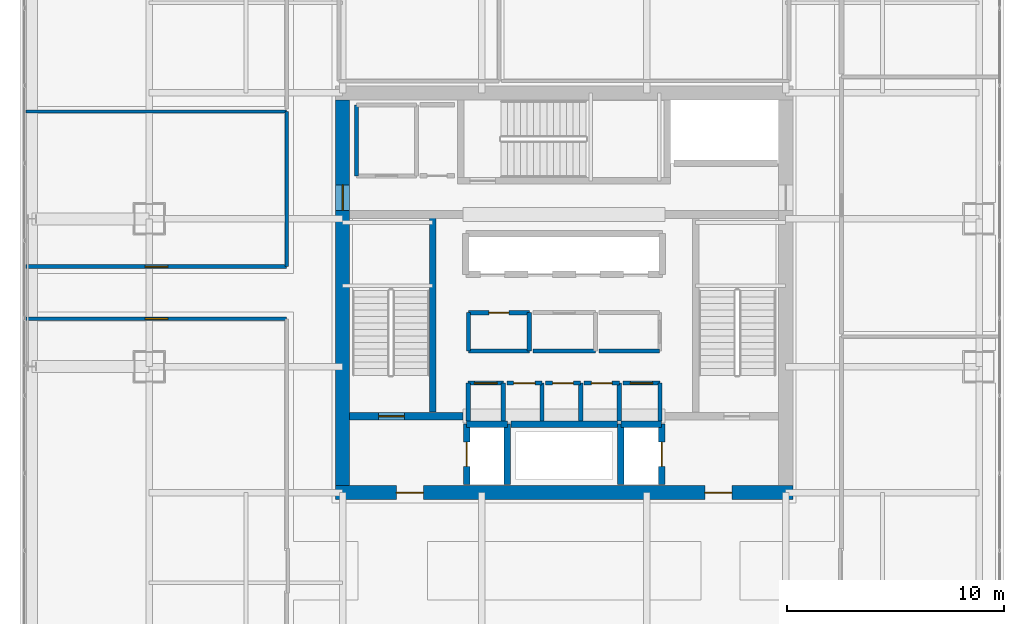
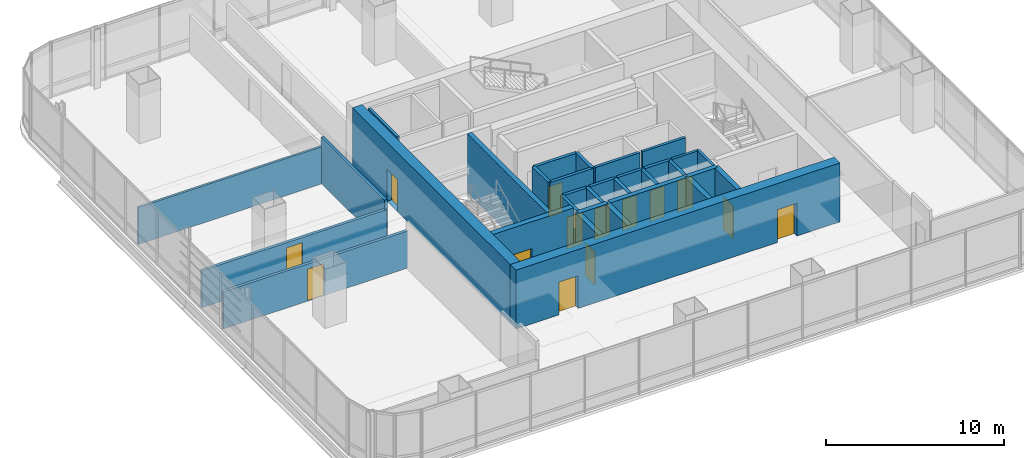
# One storey, part 30 of 38: 33 walls, 14 doors, 14 openings.
"""IFC4 building model written with IfcOpenShell, lengths in metres."""

from ifc_helpers import new_model, si_unit, direction, frame, frame_2d, origin, place, context, subcontext, project, spatial, rectangle, extrude, material, layer, layer_set, type_object, element, fill, save


model = new_model("IFC4")

# Units and contexts
model_context = context("Model", 3, precision=1e-05, world=origin(), true_north=direction((0.0, 1.0)))
body_context = subcontext(model_context, "Body", "Model", "MODEL_VIEW")
ifc_project = project(units=[si_unit("LENGTHUNIT", "METRE"), si_unit("AREAUNIT", "SQUARE_METRE"), si_unit("VOLUMEUNIT", "CUBIC_METRE"), si_unit("PLANEANGLEUNIT", "RADIAN"), si_unit("MASSUNIT", "GRAM", prefix="KILO")], contexts=[model_context])

# Site, building, storey
site_placement = place(None, origin())
site = spatial("IfcSite", under=ifc_project, at=site_placement, CompositionType="ELEMENT")
building_placement = place(site_placement, origin())
building = spatial("IfcBuilding", under=site, at=building_placement, Name="Punatoya Terracotta Tower", CompositionType="ELEMENT")
storey_placement = place(building_placement, frame((0.0, 0.0, 143.85009765625)))
storey = spatial("IfcBuildingStorey", under=building, at=storey_placement, Name="L33", CompositionType="ELEMENT", Elevation=143.85009765625)

# Wall, openings, doors
ifc_material_1 = material(Name="Concrete C60/75", Category="concrete")
ifc_layer_1 = layer(ifc_material_1, 0.64990234375)
ifc_layer_set_1 = layer_set([ifc_layer_1], Name="Concrete C60/75")
wall_type_1 = type_object("IfcWallType", Name="WL-COR-650", PredefinedType="SHEAR", material=ifc_layer_set_1)
wall_1_placement = place(storey_placement, frame((10.52490234375, -9.199951171875, 0.0), z_axis=(0.0, 0.0, 1.0), x_axis=(-1.0, 0.0, 0.0)))
wall_1 = element("IfcWall", 1, at=wall_1_placement, inside=storey, type_object=wall_type_1, Name="L33 Core Shear Wall S", PredefinedType="SHEAR", context=body_context, shape_type="SweptSolid", body=[
    extrude(rectangle(XDim=21.0498046875, YDim=0.64990234375, at=frame_2d((10.52490234375, 0.0))), origin(), (0.0, 0.0, 1.0), 4.0498046875),
])
opening_1_placement = place(wall_1_placement, frame((2.800048828125, 0.0, 0.0)))
opening_1 = element("IfcOpeningElement", 2, at=opening_1_placement, cuts=wall_1, Name="Opening FD-L1", PredefinedType="OPENING", context=body_context, shape_type="SweptSolid", body=[
    extrude(rectangle(XDim=1.25, YDim=2.25, at=frame_2d((0.625, 1.125))), frame((0.0, 0.3349609375, 0.0), z_axis=(0.0, -1.0, 0.0), x_axis=(1.0, 0.0, 0.0)), (0.0, 0.0, 1.0), 0.669921875),
])
opening_2_placement = place(wall_1_placement, frame((17.0, 0.0, 0.0)))
opening_2 = element("IfcOpeningElement", 3, at=opening_2_placement, cuts=wall_1, Name="Opening FD-L1", PredefinedType="OPENING", context=body_context, shape_type="SweptSolid", body=[
    extrude(rectangle(XDim=1.25, YDim=2.25, at=frame_2d((0.625, 1.125))), frame((0.0, 0.3349609375, 0.0), z_axis=(0.0, -1.0, 0.0), x_axis=(1.0, 0.0, 0.0)), (0.0, 0.0, 1.0), 0.669921875),
])
ifc_material_2 = material(Name="Galvanised Steel Smokeproof Fire Door", Category="steel")
door_type_1 = type_object("IfcDoorType", Name="DR-FFL-1250", OperationType="NOTDEFINED", PredefinedType="DOOR", material=ifc_material_2)
door_1_placement = place(opening_1_placement, origin())
door_1 = element("IfcDoor", 4, at=door_1_placement, inside=storey, type_object=door_type_1, Name="L33 East Firefighting Lobby Corridor Fire Door", OperationType="SINGLE_SWING_LEFT", OverallHeight=2.25, OverallWidth=1.25, PredefinedType="DOOR", context=body_context, shape_type="SweptSolid", body=[
    extrude(rectangle(XDim=1.25, YDim=2.25, at=frame_2d((0.625, 1.125))), frame((0.0, 0.02490234375, 0.0), z_axis=(0.0, -1.0, 0.0), x_axis=(1.0, 0.0, 0.0)), (0.0, 0.0, 1.0), 0.050048828125),
])
fill(opening_1, door_1)
door_2_placement = place(opening_2_placement, origin())
door_2 = element("IfcDoor", 5, at=door_2_placement, inside=storey, type_object=door_type_1, Name="L33 West Firefighting Lobby Corridor Fire Door", OperationType="SINGLE_SWING_RIGHT", OverallHeight=2.25, OverallWidth=1.25, PredefinedType="DOOR", context=body_context, shape_type="SweptSolid", body=[
    extrude(rectangle(XDim=1.25, YDim=2.25, at=frame_2d((0.625, 1.125))), frame((0.0, 0.02490234375, 0.0), z_axis=(0.0, -1.0, 0.0), x_axis=(1.0, 0.0, 0.0)), (0.0, 0.0, 1.0), 0.050048828125),
])
fill(opening_2, door_2)

# Wall, opening, door
wall_2_placement = place(storey_placement, frame((-10.199951171875, -8.875, 0.0), z_axis=(0.0, 0.0, 1.0), x_axis=(0.0, 1.0, 0.0)))
wall_2 = element("IfcWall", 6, at=wall_2_placement, inside=storey, type_object=wall_type_1, Name="L33 Core Shear Wall W", PredefinedType="SHEAR", context=body_context, shape_type="SweptSolid", body=[
    extrude(rectangle(XDim=17.75, YDim=0.64990234375, at=frame_2d((8.875, 0.0))), origin(), (0.0, 0.0, 1.0), 4.0498046875),
])
opening_3_placement = place(wall_2_placement, frame((12.6650390625, 0.0, 0.0)))
opening_3 = element("IfcOpeningElement", 7, at=opening_3_placement, cuts=wall_2, Name="Opening SD-01", PredefinedType="OPENING", context=body_context, shape_type="SweptSolid", body=[
    extrude(rectangle(XDim=1.179931640625, YDim=2.199951171875, at=frame_2d((0.58984375, 1.10009765625))), frame((0.0, 0.3349609375, 0.0), z_axis=(0.0, -1.0, 0.0), x_axis=(1.0, 0.0, 0.0)), (0.0, 0.0, 1.0), 0.669921875),
])
ifc_material_3 = material(Name="Galvanised Steel Pressurized Stair Fire Door", Category="steel")
door_type_2 = type_object("IfcDoorType", Name="DR-STR-1180", OperationType="NOTDEFINED", PredefinedType="DOOR", material=ifc_material_3)
door_3_placement = place(opening_3_placement, origin())
door_3 = element("IfcDoor", 8, at=door_3_placement, inside=storey, type_object=door_type_2, Name="L33 Central Lift Lobby West Fire Door", OperationType="SINGLE_SWING_LEFT", OverallHeight=2.199951171875, OverallWidth=1.179931640625, PredefinedType="DOOR", context=body_context, shape_type="SweptSolid", body=[
    extrude(rectangle(XDim=1.179931640625, YDim=2.199951171875, at=frame_2d((0.58984375, 1.10009765625))), frame((0.0, 0.02490234375, 0.0), z_axis=(0.0, -1.0, 0.0), x_axis=(1.0, 0.0, 0.0)), (0.0, 0.0, 1.0), 0.050048828125),
])
fill(opening_3, door_3)

# Wall
ifc_material_4 = material(Name="Gypsum Fireboard + Steel Stud", Category="steel")
ifc_layer_2 = layer(ifc_material_4, 0.179931640625)
ifc_layer_set_2 = layer_set([ifc_layer_2], Name="Gypsum Fireboard + Steel Stud")
wall_type_2 = type_object("IfcWallType", Name="WL-CORR-180", PredefinedType="PARTITIONING", material=ifc_layer_set_2)
wall_3_placement = place(storey_placement, frame((4.419921875, -5.89990234375, 0.0), z_axis=(0.0, 0.0, 1.0), x_axis=(0.0, 1.0, 0.0)))
element("IfcWall", 9, at=wall_3_placement, inside=storey, type_object=wall_type_2, Name="L33 Core Focus Booth Partition 10", PredefinedType="PARTITIONING", context=body_context, shape_type="SweptSolid", body=[
    extrude(rectangle(XDim=1.739990234375, YDim=0.179931640625, at=frame_2d((0.8701171875, 0.0))), origin(), (0.0, 0.0, 1.0), 3.829833984375),
])

# Wall, opening, door
wall_4_placement = place(storey_placement, frame((4.419921875, -4.159912109375, 0.0), z_axis=(0.0, 0.0, 1.0), x_axis=(-1.0, 0.0, 0.0)))
wall_4 = element("IfcWall", 10, at=wall_4_placement, inside=storey, type_object=wall_type_2, Name="L33 Core Focus Booth Partition 11", PredefinedType="PARTITIONING", context=body_context, shape_type="SweptSolid", body=[
    extrude(rectangle(XDim=1.719970703125, YDim=0.179931640625, at=frame_2d((0.85986328125, 0.0))), origin(), (0.0, 0.0, 1.0), 3.829833984375),
])
opening_4_placement = place(wall_4_placement, frame((0.35009765625, 0.0, 0.0)))
opening_4 = element("IfcOpeningElement", 11, at=opening_4_placement, cuts=wall_4, Name="Opening MD-01", PredefinedType="OPENING", context=body_context, shape_type="SweptSolid", body=[
    extrude(rectangle(XDim=1.02001953125, YDim=2.199951171875, at=frame_2d((0.510009765625, 1.10009765625))), frame((0.0, 0.099853515625, 0.0), z_axis=(0.0, -1.0, 0.0), x_axis=(1.0, 0.0, 0.0)), (0.0, 0.0, 1.0), 0.199951171875),
])
ifc_material_5 = material(Name="Aluminium + Acoustic Glass Leaf", Category="aluminium")
door_type_3 = type_object("IfcDoorType", Name="DR-MTG-1020", OperationType="NOTDEFINED", PredefinedType="DOOR", material=ifc_material_5)
door_4_placement = place(opening_4_placement, origin())
door_4 = element("IfcDoor", 12, at=door_4_placement, inside=storey, type_object=door_type_3, Name="L33 Focus Booth Door", OperationType="SINGLE_SWING_LEFT", OverallHeight=2.199951171875, OverallWidth=1.02001953125, PredefinedType="DOOR", context=body_context, shape_type="SweptSolid", body=[
    extrude(rectangle(XDim=1.02001953125, YDim=2.199951171875, at=frame_2d((0.510009765625, 1.10009765625))), frame((0.0, 0.02490234375, 0.0), z_axis=(0.0, -1.0, 0.0), x_axis=(1.0, 0.0, 0.0)), (0.0, 0.0, 1.0), 0.050048828125),
])
fill(opening_4, door_4)

# Walls
wall_5_placement = place(storey_placement, frame((-1.43994140625, -2.679931640625, 0.0), z_axis=(0.0, 0.0, 1.0), x_axis=(1.0, 0.0, 0.0)))
element("IfcWall", 13, at=wall_5_placement, inside=storey, type_object=wall_type_2, Name="L33 Center Core Briefing Pod Partition 18", PredefinedType="PARTITIONING", context=body_context, shape_type="SweptSolid", body=[
    extrude(rectangle(XDim=2.8798828125, YDim=0.179931640625, at=frame_2d((1.43994140625, 0.0))), origin(), (0.0, 0.0, 1.0), 3.829833984375),
])
wall_6_placement = place(storey_placement, frame((1.60009765625, -2.679931640625, 0.0), z_axis=(0.0, 0.0, 1.0), x_axis=(1.0, 0.0, 0.0)))
element("IfcWall", 14, at=wall_6_placement, inside=storey, type_object=wall_type_2, Name="L33 Right Core Copy Room Partition 21", PredefinedType="PARTITIONING", context=body_context, shape_type="SweptSolid", body=[
    extrude(rectangle(XDim=2.7998046875, YDim=0.179931640625, at=frame_2d((1.39990234375, 0.0))), origin(), (0.0, 0.0, 1.0), 3.829833984375),
])
wall_7_placement = place(storey_placement, frame((-9.550048828125, 8.64990234375, 0.0), z_axis=(0.0, 0.0, 1.0), x_axis=(0.0, -1.0, 0.0)))
element("IfcWall", 15, at=wall_7_placement, inside=storey, type_object=wall_type_2, Name="L33 West Core Briefing Pod Partition 24", PredefinedType="PARTITIONING", context=body_context, shape_type="SweptSolid", body=[
    extrude(rectangle(XDim=3.27001953125, YDim=0.179931640625, at=frame_2d((1.635009765625, 0.0))), origin(), (0.0, 0.0, 1.0), 3.829833984375),
])

# Wall, opening, door
wall_8_placement = place(storey_placement, frame((-24.77001953125, -1.199951171875, 0.0), z_axis=(0.0, 0.0, 1.0), x_axis=(1.0, 0.0, 0.0)))
wall_8 = element("IfcWall", 16, at=wall_8_placement, inside=storey, type_object=wall_type_2, Name="L33 Cartography Reference Library Partition 33", PredefinedType="PARTITIONING", context=body_context, shape_type="SweptSolid", body=[
    extrude(rectangle(XDim=12.0, YDim=0.179931640625, at=frame_2d((6.0, 0.0))), origin(), (0.0, 0.0, 1.0), 2.5439453125),
])
opening_5_placement = place(wall_8_placement, frame((5.47509765625, 0.0, 0.0)))
opening_5 = element("IfcOpeningElement", 17, at=opening_5_placement, cuts=wall_8, Name="Opening OD-01", PredefinedType="OPENING", context=body_context, shape_type="SweptSolid", body=[
    extrude(rectangle(XDim=1.050048828125, YDim=2.199951171875, at=frame_2d((0.52490234375, 1.10009765625))), frame((0.0, 0.099853515625, 0.0), z_axis=(0.0, -1.0, 0.0), x_axis=(1.0, 0.0, 0.0)), (0.0, 0.0, 1.0), 0.199951171875),
])
ifc_material_6 = material(Name="Bengal Teak Solid-Core Leaf")
door_type_4 = type_object("IfcDoorType", Name="DR-OFF-1050", OperationType="NOTDEFINED", PredefinedType="DOOR", material=ifc_material_6)
door_5_placement = place(opening_5_placement, origin())
door_5 = element("IfcDoor", 18, at=door_5_placement, inside=storey, type_object=door_type_4, Name="L33 Cartography Reference Library Door", OperationType="SINGLE_SWING_RIGHT", OverallHeight=2.199951171875, OverallWidth=1.050048828125, PredefinedType="DOOR", context=body_context, shape_type="SweptSolid", body=[
    extrude(rectangle(XDim=1.050048828125, YDim=2.199951171875, at=frame_2d((0.52490234375, 1.10009765625))), frame((0.0, 0.02490234375, 0.0), z_axis=(0.0, -1.0, 0.0), x_axis=(1.0, 0.0, 0.0)), (0.0, 0.0, 1.0), 0.050048828125),
])
fill(opening_5, door_5)

wall_9_placement = place(storey_placement, frame((-12.77001953125, 1.199951171875, 0.0), z_axis=(0.0, 0.0, 1.0), x_axis=(-1.0, 0.0, 0.0)))
wall_9 = element("IfcWall", 19, at=wall_9_placement, inside=storey, type_object=wall_type_2, Name="L33 Open-Plan Environmental Research Laboratory Partition 40", PredefinedType="PARTITIONING", context=body_context, shape_type="SweptSolid", body=[
    extrude(rectangle(XDim=12.0, YDim=0.179931640625, at=frame_2d((6.0, 0.0))), origin(), (0.0, 0.0, 1.0), 2.5439453125),
])
opening_6_placement = place(wall_9_placement, frame((5.47509765625, 0.0, 0.0)))
opening_6 = element("IfcOpeningElement", 20, at=opening_6_placement, cuts=wall_9, Name="Opening OD-01", PredefinedType="OPENING", context=body_context, shape_type="SweptSolid", body=[
    extrude(rectangle(XDim=1.050048828125, YDim=2.199951171875, at=frame_2d((0.52490234375, 1.10009765625))), frame((0.0, 0.099853515625, 0.0), z_axis=(0.0, -1.0, 0.0), x_axis=(1.0, 0.0, 0.0)), (0.0, 0.0, 1.0), 0.199951171875),
])
door_6_placement = place(opening_6_placement, origin())
door_6 = element("IfcDoor", 21, at=door_6_placement, inside=storey, type_object=door_type_4, Name="L33 Open-Plan Environmental Research Laboratory Door", OperationType="SINGLE_SWING_RIGHT", OverallHeight=2.199951171875, OverallWidth=1.050048828125, PredefinedType="DOOR", context=body_context, shape_type="SweptSolid", body=[
    extrude(rectangle(XDim=1.050048828125, YDim=2.199951171875, at=frame_2d((0.52490234375, 1.10009765625))), frame((0.0, 0.02490234375, 0.0), z_axis=(0.0, -1.0, 0.0), x_axis=(1.0, 0.0, 0.0)), (0.0, 0.0, 1.0), 0.050048828125),
])
fill(opening_6, door_6)

# Walls
wall_10_placement = place(storey_placement, frame((-12.77001953125, 8.34912109375, 0.0), z_axis=(0.0, 0.0, 1.0), x_axis=(0.0, -1.0, 0.0)))
element("IfcWall", 22, at=wall_10_placement, inside=storey, type_object=wall_type_2, Name="L33 Open-Plan Environmental Research Laboratory Partition 42", PredefinedType="PARTITIONING", context=body_context, shape_type="SweptSolid", body=[
    extrude(rectangle(XDim=7.149169921875, YDim=0.179931640625, at=frame_2d((3.57470703125, 0.0))), origin(), (0.0, 0.0, 1.0), 3.173828125),
])
ifc_material_7 = material(Name="Concrete C40/50", Category="concrete")
ifc_layer_3 = layer(ifc_material_7, 0.199951171875)
ifc_layer_set_3 = layer_set([ifc_layer_3], Name="Concrete C40/50")
wall_type_3 = type_object("IfcWallType", Name="WL-INT-200", PredefinedType="SOLIDWALL", material=ifc_layer_set_3)
wall_11_placement = place(storey_placement, frame((-2.800048828125, -5.89990234375, 0.0), z_axis=(0.0, 0.0, 1.0), x_axis=(0.0, 1.0, 0.0)))
element("IfcWall", 23, at=wall_11_placement, inside=storey, type_object=wall_type_3, Name="L33 Core Tea Pantry Partition 01", PredefinedType="SOLIDWALL", context=body_context, shape_type="SweptSolid", body=[
    extrude(rectangle(XDim=1.739990234375, YDim=0.199951171875, at=frame_2d((0.8701171875, 0.0))), origin(), (0.0, 0.0, 1.0), 3.829833984375),
])

# Wall, opening, door
wall_12_placement = place(storey_placement, frame((-2.800048828125, -4.159912109375, 0.0), z_axis=(0.0, 0.0, 1.0), x_axis=(-1.0, 0.0, 0.0)))
wall_12 = element("IfcWall", 24, at=wall_12_placement, inside=storey, type_object=wall_type_3, Name="L33 Core Tea Pantry Partition 02", PredefinedType="SOLIDWALL", context=body_context, shape_type="SweptSolid", body=[
    extrude(rectangle(XDim=1.619873046875, YDim=0.199951171875, at=frame_2d((0.81005859375, 0.0))), origin(), (0.0, 0.0, 1.0), 3.829833984375),
])
opening_7_placement = place(wall_12_placement, frame((0.284912109375, 0.0, 0.0)))
opening_7 = element("IfcOpeningElement", 25, at=opening_7_placement, cuts=wall_12, Name="Opening OD-01", PredefinedType="OPENING", context=body_context, shape_type="SweptSolid", body=[
    extrude(rectangle(XDim=1.050048828125, YDim=2.199951171875, at=frame_2d((0.52490234375, 1.10009765625))), frame((0.0, 0.10986328125, 0.0), z_axis=(0.0, -1.0, 0.0), x_axis=(1.0, 0.0, 0.0)), (0.0, 0.0, 1.0), 0.219970703125),
])
door_7_placement = place(opening_7_placement, origin())
door_7 = element("IfcDoor", 26, at=door_7_placement, inside=storey, type_object=door_type_4, Name="L33 Tea Pantry Door", OperationType="SINGLE_SWING_LEFT", OverallHeight=2.199951171875, OverallWidth=1.050048828125, PredefinedType="DOOR", context=body_context, shape_type="SweptSolid", body=[
    extrude(rectangle(XDim=1.050048828125, YDim=2.199951171875, at=frame_2d((0.52490234375, 1.10009765625))), frame((0.0, 0.02490234375, 0.0), z_axis=(0.0, -1.0, 0.0), x_axis=(1.0, 0.0, 0.0)), (0.0, 0.0, 1.0), 0.050048828125),
])
fill(opening_7, door_7)

# Walls
for number, where, z_axis, x_axis, name in (
    (27, (-4.419921875, -4.159912109375, 0.0), (0.0, 0.0, 1.0), (0.0, -1.0, 0.0), "L33 Core Tea Pantry Partition 03"),
    (28, (-1.02001953125, -5.89990234375, 0.0), (0.0, 0.0, 1.0), (0.0, 1.0, 0.0), "L33 Accessible Washroom Partition 04"),
):
    element("IfcWall", number, at=place(storey_placement, frame(where, z_axis=z_axis, x_axis=x_axis)), inside=storey, type_object=wall_type_3, Name=name, PredefinedType="SOLIDWALL", context=body_context, shape_type="SweptSolid", body=[
        extrude(rectangle(XDim=1.739990234375, YDim=0.199951171875, at=frame_2d((0.8701171875, 0.0))), origin(), (0.0, 0.0, 1.0), 3.829833984375),
    ])

# Wall, opening, door
wall_13_placement = place(storey_placement, frame((-1.02001953125, -4.159912109375, 0.0), z_axis=(0.0, 0.0, 1.0), x_axis=(-1.0, 0.0, 0.0)))
wall_13 = element("IfcWall", 29, at=wall_13_placement, inside=storey, type_object=wall_type_3, Name="L33 Accessible Washroom Partition 05", PredefinedType="SOLIDWALL", context=body_context, shape_type="SweptSolid", body=[
    extrude(rectangle(XDim=1.619873046875, YDim=0.199951171875, at=frame_2d((0.81005859375, 0.0))), origin(), (0.0, 0.0, 1.0), 3.829833984375),
])
opening_8_placement = place(wall_13_placement, frame((0.31005859375, 0.0, 0.0)))
opening_8 = element("IfcOpeningElement", 30, at=opening_8_placement, cuts=wall_13, Name="Opening AWD-1", PredefinedType="OPENING", context=body_context, shape_type="SweptSolid", body=[
    extrude(rectangle(XDim=1.0, YDim=2.14990234375, at=frame_2d((0.5, 1.074951171875))), frame((0.0, 0.10986328125, 0.0), z_axis=(0.0, -1.0, 0.0), x_axis=(1.0, 0.0, 0.0)), (0.0, 0.0, 1.0), 0.219970703125),
])
ifc_material_8 = material(Name="Bengal Teak Accessible WC Leaf")
door_type_5 = type_object("IfcDoorType", Name="DR-ACC-1000", OperationType="NOTDEFINED", PredefinedType="DOOR", material=ifc_material_8)
door_8_placement = place(opening_8_placement, origin())
door_8 = element("IfcDoor", 31, at=door_8_placement, inside=storey, type_object=door_type_5, Name="L33 Accessible Washroom Door", OperationType="SINGLE_SWING_RIGHT", OverallHeight=2.14990234375, OverallWidth=1.0, PredefinedType="DOOR", context=body_context, shape_type="SweptSolid", body=[
    extrude(rectangle(XDim=1.0, YDim=2.14990234375, at=frame_2d((0.5, 1.074951171875))), frame((0.0, 0.02490234375, 0.0), z_axis=(0.0, -1.0, 0.0), x_axis=(1.0, 0.0, 0.0)), (0.0, 0.0, 1.0), 0.050048828125),
])
fill(opening_8, door_8)

# Wall
wall_14_placement = place(storey_placement, frame((0.760009765625, -5.89990234375, 0.0), z_axis=(0.0, 0.0, 1.0), x_axis=(0.0, 1.0, 0.0)))
element("IfcWall", 32, at=wall_14_placement, inside=storey, type_object=wall_type_3, Name="L33 Female Washroom Partition 06", PredefinedType="SOLIDWALL", context=body_context, shape_type="SweptSolid", body=[
    extrude(rectangle(XDim=1.739990234375, YDim=0.199951171875, at=frame_2d((0.8701171875, 0.0))), origin(), (0.0, 0.0, 1.0), 3.829833984375),
])

# Wall, opening, door
wall_15_placement = place(storey_placement, frame((0.760009765625, -4.159912109375, 0.0), z_axis=(0.0, 0.0, 1.0), x_axis=(-1.0, 0.0, 0.0)))
wall_15 = element("IfcWall", 33, at=wall_15_placement, inside=storey, type_object=wall_type_3, Name="L33 Female Washroom Partition 07", PredefinedType="SOLIDWALL", context=body_context, shape_type="SweptSolid", body=[
    extrude(rectangle(XDim=1.6201171875, YDim=0.199951171875, at=frame_2d((0.81005859375, 0.0))), origin(), (0.0, 0.0, 1.0), 3.829833984375),
])
opening_9_placement = place(wall_15_placement, frame((0.3349609375, 0.0, 0.0)))
opening_9 = element("IfcOpeningElement", 34, at=opening_9_placement, cuts=wall_15, Name="Opening WD-01", PredefinedType="OPENING", context=body_context, shape_type="SweptSolid", body=[
    extrude(rectangle(XDim=0.949951171875, YDim=2.14990234375, at=frame_2d((0.47509765625, 1.074951171875))), frame((0.0, 0.10986328125, 0.0), z_axis=(0.0, -1.0, 0.0), x_axis=(1.0, 0.0, 0.0)), (0.0, 0.0, 1.0), 0.219970703125),
])
ifc_material_9 = material(Name="Moisture-Resistant Laminate Timber Leaf", Category="wood")
door_type_6 = type_object("IfcDoorType", Name="DR-WC-950", OperationType="NOTDEFINED", PredefinedType="DOOR", material=ifc_material_9)
door_9_placement = place(opening_9_placement, origin())
door_9 = element("IfcDoor", 35, at=door_9_placement, inside=storey, type_object=door_type_6, Name="L33 Female Washroom Door", OperationType="SINGLE_SWING_LEFT", OverallHeight=2.14990234375, OverallWidth=0.949951171875, PredefinedType="DOOR", context=body_context, shape_type="SweptSolid", body=[
    extrude(rectangle(XDim=0.949951171875, YDim=2.14990234375, at=frame_2d((0.47509765625, 1.074951171875))), frame((0.0, 0.02490234375, 0.0), z_axis=(0.0, -1.0, 0.0), x_axis=(1.0, 0.0, 0.0)), (0.0, 0.0, 1.0), 0.050048828125),
])
fill(opening_9, door_9)

# Wall
wall_16_placement = place(storey_placement, frame((2.5400390625, -5.89990234375, 0.0), z_axis=(0.0, 0.0, 1.0), x_axis=(0.0, 1.0, 0.0)))
element("IfcWall", 36, at=wall_16_placement, inside=storey, type_object=wall_type_3, Name="L33 Male Washroom Partition 08", PredefinedType="SOLIDWALL", context=body_context, shape_type="SweptSolid", body=[
    extrude(rectangle(XDim=1.739990234375, YDim=0.199951171875, at=frame_2d((0.8701171875, 0.0))), origin(), (0.0, 0.0, 1.0), 3.829833984375),
])

# Wall, opening, door
wall_17_placement = place(storey_placement, frame((2.5400390625, -4.159912109375, 0.0), z_axis=(0.0, 0.0, 1.0), x_axis=(-1.0, 0.0, 0.0)))
wall_17 = element("IfcWall", 37, at=wall_17_placement, inside=storey, type_object=wall_type_3, Name="L33 Male Washroom Partition 09", PredefinedType="SOLIDWALL", context=body_context, shape_type="SweptSolid", body=[
    extrude(rectangle(XDim=1.6201171875, YDim=0.199951171875, at=frame_2d((0.81005859375, 0.0))), origin(), (0.0, 0.0, 1.0), 3.829833984375),
])
opening_10_placement = place(wall_17_placement, frame((0.3349609375, 0.0, 0.0)))
opening_10 = element("IfcOpeningElement", 38, at=opening_10_placement, cuts=wall_17, Name="Opening WD-01", PredefinedType="OPENING", context=body_context, shape_type="SweptSolid", body=[
    extrude(rectangle(XDim=0.949951171875, YDim=2.14990234375, at=frame_2d((0.47509765625, 1.074951171875))), frame((0.0, 0.10986328125, 0.0), z_axis=(0.0, -1.0, 0.0), x_axis=(1.0, 0.0, 0.0)), (0.0, 0.0, 1.0), 0.219970703125),
])
door_10_placement = place(opening_10_placement, origin())
door_10 = element("IfcDoor", 39, at=door_10_placement, inside=storey, type_object=door_type_6, Name="L33 Male Washroom Door", OperationType="SINGLE_SWING_RIGHT", OverallHeight=2.14990234375, OverallWidth=0.949951171875, PredefinedType="DOOR", context=body_context, shape_type="SweptSolid", body=[
    extrude(rectangle(XDim=0.949951171875, YDim=2.14990234375, at=frame_2d((0.47509765625, 1.074951171875))), frame((0.0, 0.02490234375, 0.0), z_axis=(0.0, -1.0, 0.0), x_axis=(1.0, 0.0, 0.0)), (0.0, 0.0, 1.0), 0.050048828125),
])
fill(opening_10, door_10)

# Wall
wall_18_placement = place(storey_placement, frame((-1.60009765625, -2.679931640625, 0.0), z_axis=(0.0, 0.0, 1.0), x_axis=(0.0, 1.0, 0.0)))
element("IfcWall", 40, at=wall_18_placement, inside=storey, type_object=wall_type_3, Name="L33 Left Core Store Partition 12", PredefinedType="SOLIDWALL", context=body_context, shape_type="SweptSolid", body=[
    extrude(rectangle(XDim=1.760009765625, YDim=0.199951171875, at=frame_2d((0.8798828125, 0.0))), origin(), (0.0, 0.0, 1.0), 3.829833984375),
])

# Wall, opening, door
wall_19_placement = place(storey_placement, frame((-1.60009765625, -0.919921875, 0.0), z_axis=(0.0, 0.0, 1.0), x_axis=(-1.0, 0.0, 0.0)))
wall_19 = element("IfcWall", 41, at=wall_19_placement, inside=storey, type_object=wall_type_3, Name="L33 Left Core Store Partition 13", PredefinedType="SOLIDWALL", context=body_context, shape_type="SweptSolid", body=[
    extrude(rectangle(XDim=2.7998046875, YDim=0.199951171875, at=frame_2d((1.39990234375, 0.0))), origin(), (0.0, 0.0, 1.0), 3.829833984375),
])
opening_11_placement = place(wall_19_placement, frame((0.93994140625, 0.0, 0.0)))
opening_11 = element("IfcOpeningElement", 42, at=opening_11_placement, cuts=wall_19, Name="Opening FD-R1", PredefinedType="OPENING", context=body_context, shape_type="SweptSolid", body=[
    extrude(rectangle(XDim=0.919921875, YDim=2.10009765625, at=frame_2d((0.4599609375, 1.050048828125))), frame((0.0, 0.10986328125, 0.0), z_axis=(0.0, -1.0, 0.0), x_axis=(1.0, 0.0, 0.0)), (0.0, 0.0, 1.0), 0.219970703125),
])
ifc_material_10 = material(Name="Galvanised Steel Riser Fire Access Door", Category="steel")
door_type_7 = type_object("IfcDoorType", Name="DR-RSR-920", OperationType="NOTDEFINED", PredefinedType="DOOR", material=ifc_material_10)
door_11_placement = place(opening_11_placement, origin())
door_11 = element("IfcDoor", 43, at=door_11_placement, inside=storey, type_object=door_type_7, Name="L33 Left Core Store Fire Door", OperationType="SINGLE_SWING_RIGHT", OverallHeight=2.10009765625, OverallWidth=0.919921875, PredefinedType="DOOR", context=body_context, shape_type="SweptSolid", body=[
    extrude(rectangle(XDim=0.919921875, YDim=2.10009765625, at=frame_2d((0.4599609375, 1.050048828125))), frame((0.0, 0.02490234375, 0.0), z_axis=(0.0, -1.0, 0.0), x_axis=(1.0, 0.0, 0.0)), (0.0, 0.0, 1.0), 0.050048828125),
])
fill(opening_11, door_11)

# Walls
wall_20_placement = place(storey_placement, frame((-4.39990234375, -0.919921875, 0.0), z_axis=(0.0, 0.0, 1.0), x_axis=(0.0, -1.0, 0.0)))
element("IfcWall", 44, at=wall_20_placement, inside=storey, type_object=wall_type_3, Name="L33 Left Core Store Partition 14", PredefinedType="SOLIDWALL", context=body_context, shape_type="SweptSolid", body=[
    extrude(rectangle(XDim=1.760009765625, YDim=0.199951171875, at=frame_2d((0.8798828125, 0.0))), origin(), (0.0, 0.0, 1.0), 3.829833984375),
])
wall_21_placement = place(storey_placement, frame((-4.39990234375, -2.679931640625, 0.0), z_axis=(0.0, 0.0, 1.0), x_axis=(1.0, 0.0, 0.0)))
element("IfcWall", 45, at=wall_21_placement, inside=storey, type_object=wall_type_3, Name="L33 Left Core Store Partition 15", PredefinedType="SOLIDWALL", context=body_context, shape_type="SweptSolid", body=[
    extrude(rectangle(XDim=2.7998046875, YDim=0.199951171875, at=frame_2d((1.39990234375, 0.0))), origin(), (0.0, 0.0, 1.0), 3.829833984375),
])
ifc_material_11 = material(Name="Acoustic Gypsum + Steel Stud", Category="steel")
ifc_layer_4 = layer(ifc_material_11, 0.139892578125)
ifc_layer_set_4 = layer_set([ifc_layer_4], Name="Acoustic Gypsum + Steel Stud")
wall_type_4 = type_object("IfcWallType", Name="WL-OFF-140", PredefinedType="PARTITIONING", material=ifc_layer_set_4)
wall_22_placement = place(storey_placement, frame((-24.77001953125, 8.34912109375, 0.0), z_axis=(0.0, 0.0, 1.0), x_axis=(1.0, 0.0, 0.0)))
element("IfcWall", 46, at=wall_22_placement, inside=storey, type_object=wall_type_4, Name="L33 Open-Plan Environmental Research Laboratory Partition 41", PredefinedType="PARTITIONING", context=body_context, shape_type="SweptSolid", body=[
    extrude(rectangle(XDim=12.0, YDim=0.139892578125, at=frame_2d((6.0, 0.0))), origin(), (0.0, 0.0, 1.0), 2.5439453125),
])
ifc_layer_5 = layer(ifc_material_7, 0.300048828125)
ifc_layer_set_5 = layer_set([ifc_layer_5], Name="Concrete C40/50")
wall_type_5 = type_object("IfcWallType", Name="WL-SHF-300", PredefinedType="SOLIDWALL", material=ifc_layer_set_5)
wall_23_placement = place(storey_placement, frame((-6.050048828125, -5.5, 0.0), z_axis=(0.0, 0.0, 1.0), x_axis=(0.0, 1.0, 0.0)))
element("IfcWall", 47, at=wall_23_placement, inside=storey, type_object=wall_type_5, Name="L33 Structural Stair Shaft Wall SW-ST1-E", PredefinedType="SOLIDWALL", context=body_context, shape_type="SweptSolid", body=[
    extrude(rectangle(XDim=8.949951171875, YDim=0.300048828125, at=frame_2d((4.47509765625, 0.0))), origin(), (0.0, 0.0, 1.0), 4.0498046875),
])

# Wall, opening, door
wall_24_placement = place(storey_placement, frame((-4.489990234375, -8.820068359375, 0.0), z_axis=(0.0, 0.0, 1.0), x_axis=(0.0, 1.0, 0.0)))
wall_24 = element("IfcWall", 48, at=wall_24_placement, inside=storey, type_object=wall_type_5, Name="L33 FFL-1 Front Hoistway Wall", PredefinedType="SOLIDWALL", context=body_context, shape_type="SweptSolid", body=[
    extrude(rectangle(XDim=2.77001953125, YDim=0.300048828125, at=frame_2d((1.385009765625, 0.0))), origin(), (0.0, 0.0, 1.0), 3.829833984375),
])
opening_12_placement = place(wall_24_placement, frame((0.824951171875, 0.0, 0.0)))
opening_12 = element("IfcOpeningElement", 49, at=opening_12_placement, cuts=wall_24, Name="Opening LD-02", PredefinedType="OPENING", context=body_context, shape_type="SweptSolid", body=[
    extrude(rectangle(XDim=1.1201171875, YDim=2.25, at=frame_2d((0.56005859375, 1.125))), frame((0.0, 0.159912109375, 0.0), z_axis=(0.0, -1.0, 0.0), x_axis=(1.0, 0.0, 0.0)), (0.0, 0.0, 1.0), 0.320068359375),
])
ifc_material_12 = material(Name="Stainless Steel Lift Landing Door", Category="steel")
door_type_8 = type_object("IfcDoorType", Name="DR-LND-1120", OperationType="NOTDEFINED", PredefinedType="DOOR", material=ifc_material_12)
door_12_placement = place(opening_12_placement, origin())
door_12 = element("IfcDoor", 50, at=door_12_placement, inside=storey, type_object=door_type_8, Name="L33 Firefighting Lift FFL-1 Sliding Landing Door", OperationType="SLIDING_TO_LEFT", OverallHeight=2.25, OverallWidth=1.1201171875, PredefinedType="DOOR", context=body_context, shape_type="SweptSolid", body=[
    extrude(rectangle(XDim=1.1201171875, YDim=2.25, at=frame_2d((0.56005859375, 1.125))), frame((0.0, 0.02490234375, 0.0), z_axis=(0.0, -1.0, 0.0), x_axis=(1.0, 0.0, 0.0)), (0.0, 0.0, 1.0), 0.050048828125),
])
fill(opening_12, door_12)

# Walls
wall_25_placement = place(storey_placement, frame((-2.610107421875, -8.820068359375, 0.0), z_axis=(0.0, 0.0, 1.0), x_axis=(0.0, 1.0, 0.0)))
element("IfcWall", 51, at=wall_25_placement, inside=storey, type_object=wall_type_5, Name="L33 FFL-1 Rear Hoistway Wall", PredefinedType="SOLIDWALL", context=body_context, shape_type="SweptSolid", body=[
    extrude(rectangle(XDim=2.77001953125, YDim=0.300048828125, at=frame_2d((1.385009765625, 0.0))), origin(), (0.0, 0.0, 1.0), 3.829833984375),
])
wall_26_placement = place(storey_placement, frame((-4.489990234375, -6.050048828125, 0.0), z_axis=(0.0, 0.0, 1.0), x_axis=(1.0, 0.0, 0.0)))
element("IfcWall", 52, at=wall_26_placement, inside=storey, type_object=wall_type_5, Name="L33 FFL-1 North Hoistway Wall", PredefinedType="SOLIDWALL", context=body_context, shape_type="SweptSolid", body=[
    extrude(rectangle(XDim=1.8798828125, YDim=0.300048828125, at=frame_2d((0.93994140625, 0.0))), origin(), (0.0, 0.0, 1.0), 3.829833984375),
])

# Wall, opening, door
wall_27_placement = place(storey_placement, frame((4.489990234375, -8.820068359375, 0.0), z_axis=(0.0, 0.0, 1.0), x_axis=(0.0, 1.0, 0.0)))
wall_27 = element("IfcWall", 53, at=wall_27_placement, inside=storey, type_object=wall_type_5, Name="L33 FFL-2 Front Hoistway Wall", PredefinedType="SOLIDWALL", context=body_context, shape_type="SweptSolid", body=[
    extrude(rectangle(XDim=2.77001953125, YDim=0.300048828125, at=frame_2d((1.385009765625, 0.0))), origin(), (0.0, 0.0, 1.0), 3.829833984375),
])
opening_13_placement = place(wall_27_placement, frame((0.824951171875, 0.0, 0.0)))
opening_13 = element("IfcOpeningElement", 54, at=opening_13_placement, cuts=wall_27, Name="Opening LD-02", PredefinedType="OPENING", context=body_context, shape_type="SweptSolid", body=[
    extrude(rectangle(XDim=1.1201171875, YDim=2.25, at=frame_2d((0.56005859375, 1.125))), frame((0.0, 0.159912109375, 0.0), z_axis=(0.0, -1.0, 0.0), x_axis=(1.0, 0.0, 0.0)), (0.0, 0.0, 1.0), 0.320068359375),
])
door_13_placement = place(opening_13_placement, origin())
door_13 = element("IfcDoor", 55, at=door_13_placement, inside=storey, type_object=door_type_8, Name="L33 Firefighting Lift FFL-2 Sliding Landing Door", OperationType="SLIDING_TO_RIGHT", OverallHeight=2.25, OverallWidth=1.1201171875, PredefinedType="DOOR", context=body_context, shape_type="SweptSolid", body=[
    extrude(rectangle(XDim=1.1201171875, YDim=2.25, at=frame_2d((0.56005859375, 1.125))), frame((0.0, 0.02490234375, 0.0), z_axis=(0.0, -1.0, 0.0), x_axis=(1.0, 0.0, 0.0)), (0.0, 0.0, 1.0), 0.050048828125),
])
fill(opening_13, door_13)

# Walls
wall_28_placement = place(storey_placement, frame((2.610107421875, -8.820068359375, 0.0), z_axis=(0.0, 0.0, 1.0), x_axis=(0.0, 1.0, 0.0)))
element("IfcWall", 56, at=wall_28_placement, inside=storey, type_object=wall_type_5, Name="L33 FFL-2 Rear Hoistway Wall", PredefinedType="SOLIDWALL", context=body_context, shape_type="SweptSolid", body=[
    extrude(rectangle(XDim=2.77001953125, YDim=0.300048828125, at=frame_2d((1.385009765625, 0.0))), origin(), (0.0, 0.0, 1.0), 3.829833984375),
])
wall_29_placement = place(storey_placement, frame((2.610107421875, -6.050048828125, 0.0), z_axis=(0.0, 0.0, 1.0), x_axis=(1.0, 0.0, 0.0)))
element("IfcWall", 57, at=wall_29_placement, inside=storey, type_object=wall_type_5, Name="L33 FFL-2 North Hoistway Wall", PredefinedType="SOLIDWALL", context=body_context, shape_type="SweptSolid", body=[
    extrude(rectangle(XDim=1.8798828125, YDim=0.300048828125, at=frame_2d((0.93994140625, 0.0))), origin(), (0.0, 0.0, 1.0), 3.829833984375),
])
wall_30_placement = place(storey_placement, frame((-2.449951171875, -6.050048828125, 0.0), z_axis=(0.0, 0.0, 1.0), x_axis=(1.0, 0.0, 0.0)))
element("IfcWall", 58, at=wall_30_placement, inside=storey, type_object=wall_type_5, Name="L33 Observation Shuttle Rear Hoistway Wall", PredefinedType="SOLIDWALL", context=body_context, shape_type="SweptSolid", body=[
    extrude(rectangle(XDim=4.89990234375, YDim=0.300048828125, at=frame_2d((2.449951171875, 0.0))), origin(), (0.0, 0.0, 1.0), 3.829833984375),
])

# Wall, opening, door
ifc_material_13 = material(Name="Concrete C50/60", Category="concrete")
ifc_layer_6 = layer(ifc_material_13, 0.35009765625)
ifc_layer_set_6 = layer_set([ifc_layer_6], Name="Concrete C50/60")
wall_type_6 = type_object("IfcWallType", Name="WL-SHF-350", PredefinedType="SOLIDWALL", material=ifc_layer_set_6)
wall_31_placement = place(storey_placement, frame((-9.875, -5.679931640625, 0.0), z_axis=(0.0, 0.0, 1.0), x_axis=(1.0, 0.0, 0.0)))
wall_31 = element("IfcWall", 59, at=wall_31_placement, inside=storey, type_object=wall_type_6, Name="L33 Core Web Wall CSW-L", PredefinedType="SOLIDWALL", context=body_context, shape_type="SweptSolid", body=[
    extrude(rectangle(XDim=5.22509765625, YDim=0.35009765625, at=frame_2d((2.612548828125, 0.0))), origin(), (0.0, 0.0, 1.0), 4.0498046875),
])
opening_14_placement = place(wall_31_placement, frame((1.3349609375, 0.0, 0.0)))
opening_14 = element("IfcOpeningElement", 60, at=opening_14_placement, cuts=wall_31, Name="Opening SD-01", PredefinedType="OPENING", context=body_context, shape_type="SweptSolid", body=[
    extrude(rectangle(XDim=1.179931640625, YDim=2.199951171875, at=frame_2d((0.58984375, 1.10009765625))), frame((0.0, 0.18505859375, 0.0), z_axis=(0.0, -1.0, 0.0), x_axis=(1.0, 0.0, 0.0)), (0.0, 0.0, 1.0), 0.3701171875),
])
door_14_placement = place(opening_14_placement, origin())
door_14 = element("IfcDoor", 61, at=door_14_placement, inside=storey, type_object=door_type_2, Name="L33 Stair ST-1 Smokeproof Lobby Fire Door", OperationType="SINGLE_SWING_LEFT", OverallHeight=2.199951171875, OverallWidth=1.179931640625, PredefinedType="DOOR", context=body_context, shape_type="SweptSolid", body=[
    extrude(rectangle(XDim=1.179931640625, YDim=2.199951171875, at=frame_2d((0.58984375, 1.10009765625))), frame((0.0, 0.02490234375, 0.0), z_axis=(0.0, -1.0, 0.0), x_axis=(1.0, 0.0, 0.0)), (0.0, 0.0, 1.0), 0.050048828125),
])
fill(opening_14, door_14)

save(model, "model.ifc")
